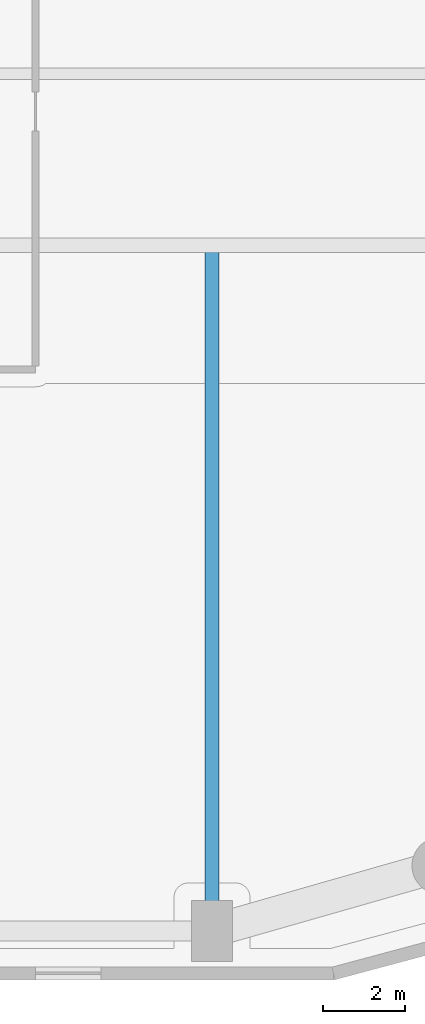
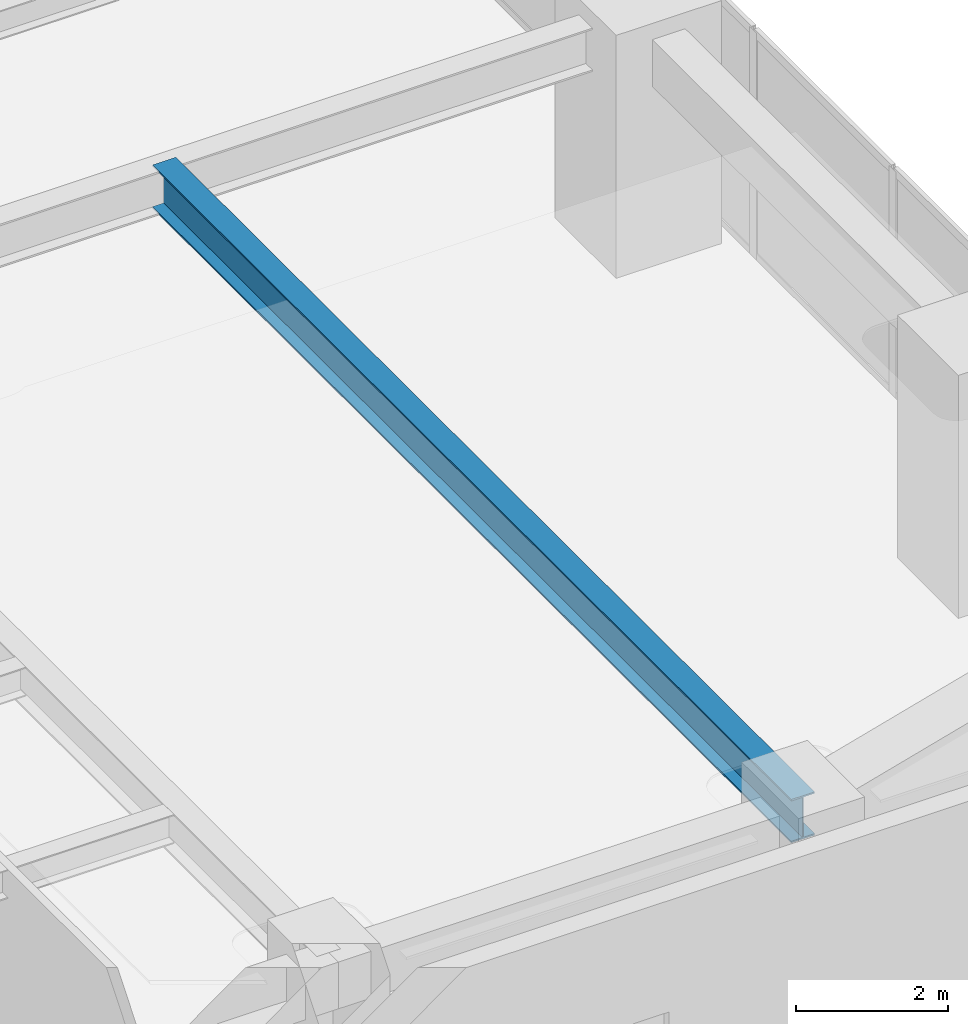
# One storey, part 5 of 28: 1 beam.
"""IFC4 building model written with IfcOpenShell, lengths in metres."""

from ifc_helpers import new_model, si_unit, direction, frame, origin, origin_2d, place, context, subcontext, project, spatial, i_section, extrude, material, material_profile, profile_set, type_object, element, save


model = new_model("IFC4")

# Units and contexts
model_context = context("Model", 3, precision=1e-05, world=origin(), true_north=direction((0.0, 1.0)))
body_context = subcontext(model_context, "Body", "Model", "MODEL_VIEW")
ifc_project = project(units=[si_unit("LENGTHUNIT", "METRE"), si_unit("AREAUNIT", "SQUARE_METRE"), si_unit("VOLUMEUNIT", "CUBIC_METRE"), si_unit("PLANEANGLEUNIT", "RADIAN"), si_unit("MASSUNIT", "GRAM", prefix="KILO")], contexts=[model_context])

# Site, building, storey
site_placement = place(None, origin())
site = spatial("IfcSite", under=ifc_project, at=site_placement, CompositionType="ELEMENT")
building_placement = place(site_placement, origin())
building = spatial("IfcBuilding", under=site, at=building_placement, Name="Kiyonajd Concourse Tower", CompositionType="ELEMENT")
storey_placement = place(building_placement, frame((0.0, 0.0, 64.5)))
storey = spatial("IfcBuildingStorey", under=building, at=storey_placement, Name="L17", CompositionType="ELEMENT", Elevation=64.5)

# Beam
ifc_material = material(Name="Steel ASTM A992 Grade 50", Category="steel")
ifc_material_profile = material_profile(ifc_material, i_section(OverallWidth=0.35498046875, OverallDepth=0.695068359375, WebThickness=0.015380859375, FlangeThickness=0.02490234375, at=origin_2d()), Name="W690X217")
ifc_profile_set = profile_set([ifc_material_profile], Name="Steel ASTM A992 Grade 50")
beam_type = type_object("IfcBeamType", Name="BM-TWR-690", PredefinedType="BEAM", material=ifc_profile_set)
beam_placement = place(storey_placement, frame((70.800048828125, 10.800048828125, 3.29248046875), z_axis=(0.0, 1.0, 0.0), x_axis=(-1.0, 0.0, 0.0)))
element("IfcBeam", 1, at=beam_placement, inside=storey, type_object=beam_type, Name="L17 South Lease Girder", PredefinedType="BEAM", context=body_context, shape_type="SweptSolid", body=[
    extrude(i_section(OverallWidth=0.35498046875, OverallDepth=0.695068359375, WebThickness=0.015380859375, FlangeThickness=0.02490234375, at=origin_2d()), origin(), (0.0, 0.0, 1.0), 16.800048828125),
])

save(model, "model.ifc")
